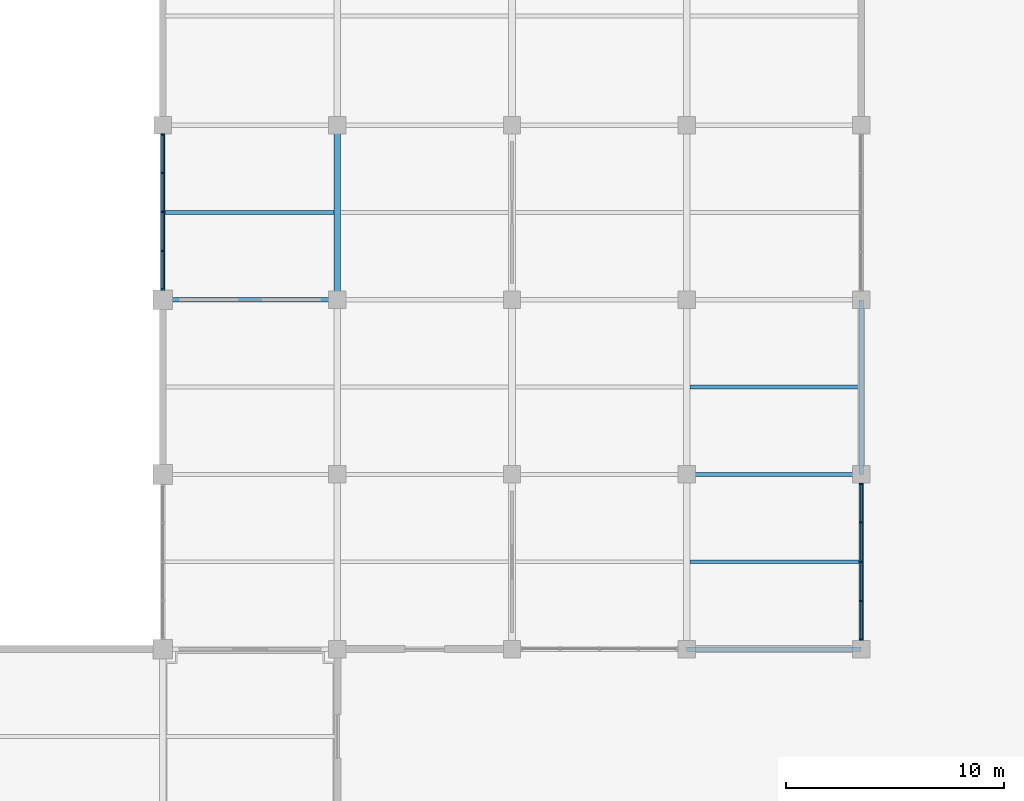
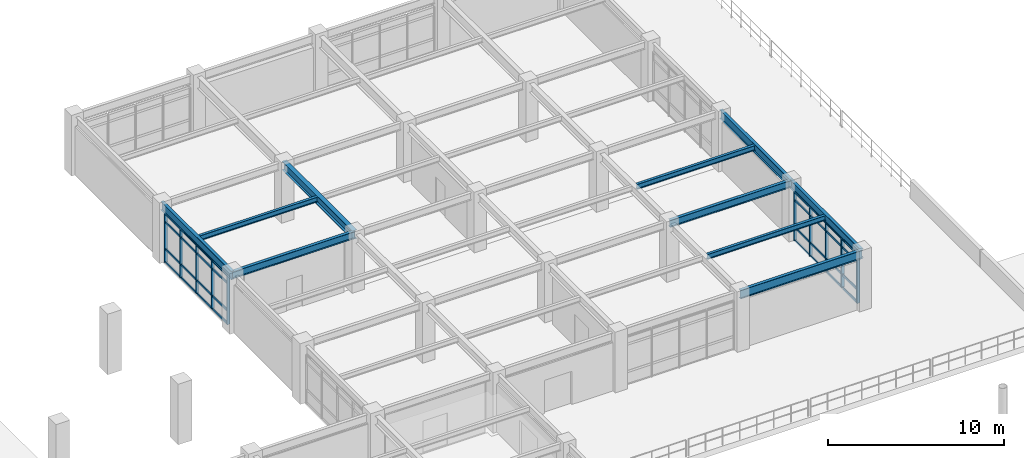
# One storey, part 60 of 118: 42 members, 10 beams, 2 elements without a shape of their own.
"""IFC4 building model written with IfcOpenShell, lengths in metres."""

from ifc_helpers import new_model, si_unit, direction, frame, origin, origin_2d, place, context, subcontext, project, spatial, rectangle, i_section, extrude, material, layer, layer_set, material_profile, profile_set, type_object, element, aggregate, save


model = new_model("IFC4")

# Units and contexts
model_context = context("Model", 3, precision=1e-05, world=origin(), true_north=direction((0.0, 1.0)))
body_context = subcontext(model_context, "Body", "Model", "MODEL_VIEW")
ifc_project = project(units=[si_unit("LENGTHUNIT", "METRE"), si_unit("AREAUNIT", "SQUARE_METRE"), si_unit("VOLUMEUNIT", "CUBIC_METRE"), si_unit("PLANEANGLEUNIT", "RADIAN"), si_unit("MASSUNIT", "GRAM", prefix="KILO")], contexts=[model_context])

# Site, building, storey
site_placement = place(None, origin())
site = spatial("IfcSite", under=ifc_project, at=site_placement, CompositionType="ELEMENT")
building_placement = place(site_placement, origin())
building = spatial("IfcBuilding", under=site, at=building_placement, Name="Haebicheon Civic Stadium", CompositionType="ELEMENT")
storey_placement = place(building_placement, frame((0.0, 0.0, 14.39990234375)))
storey = spatial("IfcBuildingStorey", under=building, at=storey_placement, Name="L04", CompositionType="ELEMENT", Elevation=14.39990234375)

# Beams
ifc_material_1 = material(Name="Steel SM355 (S355)", Category="steel")
ifc_material_profile_1 = material_profile(ifc_material_1, i_section(OverallWidth=0.199951171875, OverallDepth=0.5, WebThickness=0.010009765625, FlangeThickness=0.01611328125, at=origin_2d()), Name="H-500x200x10x16")
ifc_profile_set_1 = profile_set([ifc_material_profile_1], Name="Steel SM355 (S355)")
beam_type_1 = type_object("IfcBeamType", Name="BM-ST-H500", PredefinedType="BEAM", material=ifc_profile_set_1)
for number, where, z_axis, x_axis, name in (
    (1, (160.0, 160.0, 3.72998046875), (1.0, 0.0, 0.0), (0.0, 1.0, 0.0), "L04 beam W/21-22"),
    (2, (184.0, 152.0, 3.72998046875), (1.0, 0.0, 0.0), (0.0, 1.0, 0.0), "L04 beam V/24-25"),
):
    element("IfcBeam", number, at=place(storey_placement, frame(where, z_axis=z_axis, x_axis=x_axis)), inside=storey, type_object=beam_type_1, material=ifc_profile_set_1, Name=name, PredefinedType="BEAM", context=body_context, shape_type="SweptSolid", body=[
        extrude(i_section(OverallWidth=0.199951171875, OverallDepth=0.5, WebThickness=0.010009765625, FlangeThickness=0.01611328125, at=origin_2d()), origin(), (0.0, 0.0, 1.0), 8.0),
    ])
ifc_material_2 = material(Name="Steel SM355 (S355)", Category="steel")
ifc_material_profile_2 = material_profile(ifc_material_2, i_section(OverallWidth=0.300048828125, OverallDepth=0.60009765625, WebThickness=0.011962890625, FlangeThickness=0.02001953125, at=origin_2d()), Name="H-600x300x12x20")
ifc_profile_set_2 = profile_set([ifc_material_profile_2], Name="Steel SM355 (S355)")
beam_type_2 = type_object("IfcBeamType", Name="BM-ST-H600A", PredefinedType="BEAM", material=ifc_profile_set_2)
beam_placement = place(storey_placement, frame((168.0, 160.0, 3.68017578125), z_axis=(0.0, 1.0, 0.0), x_axis=(-1.0, 0.0, 0.0)))
element("IfcBeam", 3, at=beam_placement, inside=storey, type_object=beam_type_2, material=ifc_profile_set_2, Name="L04 girder 22/W-X", PredefinedType="BEAM", context=body_context, shape_type="SweptSolid", body=[
    extrude(i_section(OverallWidth=0.300048828125, OverallDepth=0.60009765625, WebThickness=0.011962890625, FlangeThickness=0.02001953125, at=origin_2d()), origin(), (0.0, 0.0, 1.0), 8.0),
])

# Curtain wall, members
ifc_material_3 = material(Name="Anodised aluminium and laminated glass", Category="aluminium")
ifc_layer_1 = layer(ifc_material_3, 0.179931640625, Name="Anodised aluminium and laminated glass")
ifc_layer_set_1 = layer_set([ifc_layer_1], Name="Anodised aluminium and laminated glass")
curtain_wall_type_1 = type_object("IfcCurtainWallType", Name="CW-7150x3326", PredefinedType="NOTDEFINED", material=ifc_layer_set_1)
curtain_wall_1_placement = place(storey_placement, origin())
curtain_wall_1 = element("IfcCurtainWall", 4, at=curtain_wall_1_placement, inside=storey, type_object=curtain_wall_type_1, material=ifc_layer_set_1, Name="L04 unitised curtain wall 160", PredefinedType="NOTDEFINED")
ifc_material_4 = material(Name="Anodised aluminium 6063-T6", Category="aluminium")
ifc_material_profile_3 = material_profile(ifc_material_4, rectangle(XDim=0.070068359375, YDim=0.199951171875, at=origin_2d()), Name="ALU-MULL-70x200")
ifc_profile_set_3 = profile_set([ifc_material_profile_3], Name="Anodised aluminium 6063-T6")
member_type_1 = type_object("IfcMemberType", Name="CWM-200x70", PredefinedType="MULLION", material=ifc_profile_set_3)
member_1_placement = place(storey_placement, frame((160.0, 160.485107421875, 0.0), z_axis=(0.0, 0.0, 1.0), x_axis=(0.0, 1.0, 0.0)))
member_1 = element("IfcMember", 5, at=member_1_placement, type_object=member_type_1, material=ifc_profile_set_3, Name="CW-L04-160 vertical mullion 1", PredefinedType="MULLION", context=body_context, shape_type="SweptSolid", body=[
    extrude(rectangle(XDim=0.070068359375, YDim=0.199951171875, at=origin_2d()), origin(), (0.0, 0.0, 1.0), 3.326171875),
])
member_2_placement = place(storey_placement, frame((160.0, 162.238037109375, 0.0), z_axis=(0.0, 0.0, 1.0), x_axis=(0.0, 1.0, 0.0)))
member_2 = element("IfcMember", 6, at=member_2_placement, type_object=member_type_1, material=ifc_profile_set_3, Name="CW-L04-160 vertical mullion 2", PredefinedType="MULLION", context=body_context, shape_type="SweptSolid", body=[
    extrude(rectangle(XDim=0.070068359375, YDim=0.199951171875, at=origin_2d()), origin(), (0.0, 0.0, 1.0), 3.326171875),
])
member_3_placement = place(storey_placement, frame((160.0, 164.02490234375, 0.0), z_axis=(0.0, 0.0, 1.0), x_axis=(0.0, 1.0, 0.0)))
member_3 = element("IfcMember", 7, at=member_3_placement, type_object=member_type_1, material=ifc_profile_set_3, Name="CW-L04-160 vertical mullion 3", PredefinedType="MULLION", context=body_context, shape_type="SweptSolid", body=[
    extrude(rectangle(XDim=0.070068359375, YDim=0.199951171875, at=origin_2d()), origin(), (0.0, 0.0, 1.0), 3.326171875),
])
member_4_placement = place(storey_placement, frame((160.0, 165.81298828125, 0.0), z_axis=(0.0, 0.0, 1.0), x_axis=(0.0, 1.0, 0.0)))
member_4 = element("IfcMember", 8, at=member_4_placement, type_object=member_type_1, material=ifc_profile_set_3, Name="CW-L04-160 vertical mullion 4", PredefinedType="MULLION", context=body_context, shape_type="SweptSolid", body=[
    extrude(rectangle(XDim=0.070068359375, YDim=0.199951171875, at=origin_2d()), origin(), (0.0, 0.0, 1.0), 3.326171875),
])
member_5_placement = place(storey_placement, frame((160.0, 167.56494140625, 0.0), z_axis=(0.0, 0.0, 1.0), x_axis=(0.0, 1.0, 0.0)))
member_5 = element("IfcMember", 9, at=member_5_placement, type_object=member_type_1, material=ifc_profile_set_3, Name="CW-L04-160 vertical mullion 5", PredefinedType="MULLION", context=body_context, shape_type="SweptSolid", body=[
    extrude(rectangle(XDim=0.070068359375, YDim=0.199951171875, at=origin_2d()), origin(), (0.0, 0.0, 1.0), 3.326171875),
])

ifc_material_5 = material(Name="Anodised aluminium and laminated glass", Category="aluminium")
ifc_layer_2 = layer(ifc_material_5, 0.179931640625, Name="Anodised aluminium and laminated glass")
ifc_layer_set_2 = layer_set([ifc_layer_2], Name="Anodised aluminium and laminated glass")
curtain_wall_type_2 = type_object("IfcCurtainWallType", Name="CW-7200x3350", PredefinedType="NOTDEFINED", material=ifc_layer_set_2)
curtain_wall_2_placement = place(storey_placement, origin())
curtain_wall_2 = element("IfcCurtainWall", 10, at=curtain_wall_2_placement, inside=storey, type_object=curtain_wall_type_2, material=ifc_layer_set_2, Name="L04 unitised curtain wall 167", PredefinedType="NOTDEFINED")
member_6_placement = place(storey_placement, frame((192.0, 144.43505859375, 0.0), z_axis=(0.0, 0.0, 1.0), x_axis=(0.0, 1.0, 0.0)))
member_6 = element("IfcMember", 11, at=member_6_placement, type_object=member_type_1, material=ifc_profile_set_3, Name="CW-L04-167 vertical mullion 1", PredefinedType="MULLION", context=body_context, shape_type="SweptSolid", body=[
    extrude(rectangle(XDim=0.070068359375, YDim=0.199951171875, at=origin_2d()), origin(), (0.0, 0.0, 1.0), 3.35009765625),
])
member_7_placement = place(storey_placement, frame((192.0, 146.199951171875, 0.0), z_axis=(0.0, 0.0, 1.0), x_axis=(0.0, 1.0, 0.0)))
member_7 = element("IfcMember", 12, at=member_7_placement, type_object=member_type_1, material=ifc_profile_set_3, Name="CW-L04-167 vertical mullion 2", PredefinedType="MULLION", context=body_context, shape_type="SweptSolid", body=[
    extrude(rectangle(XDim=0.070068359375, YDim=0.199951171875, at=origin_2d()), origin(), (0.0, 0.0, 1.0), 3.35009765625),
])
member_8_placement = place(storey_placement, frame((192.0, 148.0, 0.0), z_axis=(0.0, 0.0, 1.0), x_axis=(0.0, 1.0, 0.0)))
member_8 = element("IfcMember", 13, at=member_8_placement, type_object=member_type_1, material=ifc_profile_set_3, Name="CW-L04-167 vertical mullion 3", PredefinedType="MULLION", context=body_context, shape_type="SweptSolid", body=[
    extrude(rectangle(XDim=0.070068359375, YDim=0.199951171875, at=origin_2d()), origin(), (0.0, 0.0, 1.0), 3.35009765625),
])
member_9_placement = place(storey_placement, frame((192.0, 149.800048828125, 0.0), z_axis=(0.0, 0.0, 1.0), x_axis=(0.0, 1.0, 0.0)))
member_9 = element("IfcMember", 14, at=member_9_placement, type_object=member_type_1, material=ifc_profile_set_3, Name="CW-L04-167 vertical mullion 4", PredefinedType="MULLION", context=body_context, shape_type="SweptSolid", body=[
    extrude(rectangle(XDim=0.070068359375, YDim=0.199951171875, at=origin_2d()), origin(), (0.0, 0.0, 1.0), 3.35009765625),
])
member_10_placement = place(storey_placement, frame((192.0, 151.56494140625, 0.0), z_axis=(0.0, 0.0, 1.0), x_axis=(0.0, 1.0, 0.0)))
member_10 = element("IfcMember", 15, at=member_10_placement, type_object=member_type_1, material=ifc_profile_set_3, Name="CW-L04-167 vertical mullion 5", PredefinedType="MULLION", context=body_context, shape_type="SweptSolid", body=[
    extrude(rectangle(XDim=0.070068359375, YDim=0.199951171875, at=origin_2d()), origin(), (0.0, 0.0, 1.0), 3.35009765625),
])

# Member
ifc_material_6 = material(Name="Anodised aluminium 6063-T6", Category="aluminium")
ifc_material_profile_4 = material_profile(ifc_material_6, rectangle(XDim=0.070068359375, YDim=0.14990234375, at=origin_2d()), Name="ALU-TRAN-70x150")
ifc_profile_set_4 = profile_set([ifc_material_profile_4], Name="Anodised aluminium 6063-T6")
member_type_2 = type_object("IfcMemberType", Name="CWT-150x70", PredefinedType="NOTDEFINED", material=ifc_profile_set_4)
member_11_placement = place(storey_placement, frame((160.0, 160.52001953125, 0.0), z_axis=(0.0, 1.0, 0.0), x_axis=(-1.0, 0.0, 0.0)))
member_11 = element("IfcMember", 16, at=member_11_placement, type_object=member_type_2, material=ifc_profile_set_4, Name="CW-L04-160 horizontal transom 1.1", ObjectType="TRANSOM", PredefinedType="USERDEFINED", context=body_context, shape_type="SweptSolid", body=[
    extrude(rectangle(XDim=0.070068359375, YDim=0.14990234375, at=origin_2d()), origin(), (0.0, 0.0, 1.0), 1.682861328125),
])

member_12_placement = place(storey_placement, frame((160.0, 160.52001953125, 0.900146484375), z_axis=(0.0, 1.0, 0.0), x_axis=(-1.0, 0.0, 0.0)))
member_12 = element("IfcMember", 17, at=member_12_placement, type_object=member_type_2, material=ifc_profile_set_4, Name="CW-L04-160 horizontal transom 1.2", ObjectType="TRANSOM", PredefinedType="USERDEFINED", context=body_context, shape_type="SweptSolid", body=[
    extrude(rectangle(XDim=0.070068359375, YDim=0.14990234375, at=origin_2d()), origin(), (0.0, 0.0, 1.0), 1.682861328125),
])

member_13_placement = place(storey_placement, frame((160.0, 160.52001953125, 2.776123046875), z_axis=(0.0, 1.0, 0.0), x_axis=(-1.0, 0.0, 0.0)))
member_13 = element("IfcMember", 18, at=member_13_placement, type_object=member_type_2, material=ifc_profile_set_4, Name="CW-L04-160 horizontal transom 1.3", ObjectType="TRANSOM", PredefinedType="USERDEFINED", context=body_context, shape_type="SweptSolid", body=[
    extrude(rectangle(XDim=0.070068359375, YDim=0.14990234375, at=origin_2d()), origin(), (0.0, 0.0, 1.0), 1.682861328125),
])

member_14_placement = place(storey_placement, frame((160.0, 160.52001953125, 3.326171875), z_axis=(0.0, 1.0, 0.0), x_axis=(-1.0, 0.0, 0.0)))
member_14 = element("IfcMember", 19, at=member_14_placement, type_object=member_type_2, material=ifc_profile_set_4, Name="CW-L04-160 horizontal transom 1.4", ObjectType="TRANSOM", PredefinedType="USERDEFINED", context=body_context, shape_type="SweptSolid", body=[
    extrude(rectangle(XDim=0.070068359375, YDim=0.14990234375, at=origin_2d()), origin(), (0.0, 0.0, 1.0), 1.682861328125),
])

member_15_placement = place(storey_placement, frame((160.0, 162.27294921875, 0.0), z_axis=(0.0, 1.0, 0.0), x_axis=(-1.0, 0.0, 0.0)))
member_15 = element("IfcMember", 20, at=member_15_placement, type_object=member_type_2, material=ifc_profile_set_4, Name="CW-L04-160 horizontal transom 2.1", ObjectType="TRANSOM", PredefinedType="USERDEFINED", context=body_context, shape_type="SweptSolid", body=[
    extrude(rectangle(XDim=0.070068359375, YDim=0.14990234375, at=origin_2d()), origin(), (0.0, 0.0, 1.0), 1.717041015625),
])

member_16_placement = place(storey_placement, frame((160.0, 162.27294921875, 0.900146484375), z_axis=(0.0, 1.0, 0.0), x_axis=(-1.0, 0.0, 0.0)))
member_16 = element("IfcMember", 21, at=member_16_placement, type_object=member_type_2, material=ifc_profile_set_4, Name="CW-L04-160 horizontal transom 2.2", ObjectType="TRANSOM", PredefinedType="USERDEFINED", context=body_context, shape_type="SweptSolid", body=[
    extrude(rectangle(XDim=0.070068359375, YDim=0.14990234375, at=origin_2d()), origin(), (0.0, 0.0, 1.0), 1.717041015625),
])

member_17_placement = place(storey_placement, frame((160.0, 162.27294921875, 2.776123046875), z_axis=(0.0, 1.0, 0.0), x_axis=(-1.0, 0.0, 0.0)))
member_17 = element("IfcMember", 22, at=member_17_placement, type_object=member_type_2, material=ifc_profile_set_4, Name="CW-L04-160 horizontal transom 2.3", ObjectType="TRANSOM", PredefinedType="USERDEFINED", context=body_context, shape_type="SweptSolid", body=[
    extrude(rectangle(XDim=0.070068359375, YDim=0.14990234375, at=origin_2d()), origin(), (0.0, 0.0, 1.0), 1.717041015625),
])

member_18_placement = place(storey_placement, frame((160.0, 162.27294921875, 3.326171875), z_axis=(0.0, 1.0, 0.0), x_axis=(-1.0, 0.0, 0.0)))
member_18 = element("IfcMember", 23, at=member_18_placement, type_object=member_type_2, material=ifc_profile_set_4, Name="CW-L04-160 horizontal transom 2.4", ObjectType="TRANSOM", PredefinedType="USERDEFINED", context=body_context, shape_type="SweptSolid", body=[
    extrude(rectangle(XDim=0.070068359375, YDim=0.14990234375, at=origin_2d()), origin(), (0.0, 0.0, 1.0), 1.717041015625),
])

member_19_placement = place(storey_placement, frame((160.0, 164.06005859375, 0.0), z_axis=(0.0, 1.0, 0.0), x_axis=(-1.0, 0.0, 0.0)))
member_19 = element("IfcMember", 24, at=member_19_placement, type_object=member_type_2, material=ifc_profile_set_4, Name="CW-L04-160 horizontal transom 3.1", ObjectType="TRANSOM", PredefinedType="USERDEFINED", context=body_context, shape_type="SweptSolid", body=[
    extrude(rectangle(XDim=0.070068359375, YDim=0.14990234375, at=origin_2d()), origin(), (0.0, 0.0, 1.0), 1.718017578125),
])

member_20_placement = place(storey_placement, frame((160.0, 164.06005859375, 0.900146484375), z_axis=(0.0, 1.0, 0.0), x_axis=(-1.0, 0.0, 0.0)))
member_20 = element("IfcMember", 25, at=member_20_placement, type_object=member_type_2, material=ifc_profile_set_4, Name="CW-L04-160 horizontal transom 3.2", ObjectType="TRANSOM", PredefinedType="USERDEFINED", context=body_context, shape_type="SweptSolid", body=[
    extrude(rectangle(XDim=0.070068359375, YDim=0.14990234375, at=origin_2d()), origin(), (0.0, 0.0, 1.0), 1.718017578125),
])

member_21_placement = place(storey_placement, frame((160.0, 164.06005859375, 2.776123046875), z_axis=(0.0, 1.0, 0.0), x_axis=(-1.0, 0.0, 0.0)))
member_21 = element("IfcMember", 26, at=member_21_placement, type_object=member_type_2, material=ifc_profile_set_4, Name="CW-L04-160 horizontal transom 3.3", ObjectType="TRANSOM", PredefinedType="USERDEFINED", context=body_context, shape_type="SweptSolid", body=[
    extrude(rectangle(XDim=0.070068359375, YDim=0.14990234375, at=origin_2d()), origin(), (0.0, 0.0, 1.0), 1.718017578125),
])

member_22_placement = place(storey_placement, frame((160.0, 164.06005859375, 3.326171875), z_axis=(0.0, 1.0, 0.0), x_axis=(-1.0, 0.0, 0.0)))
member_22 = element("IfcMember", 27, at=member_22_placement, type_object=member_type_2, material=ifc_profile_set_4, Name="CW-L04-160 horizontal transom 3.4", ObjectType="TRANSOM", PredefinedType="USERDEFINED", context=body_context, shape_type="SweptSolid", body=[
    extrude(rectangle(XDim=0.070068359375, YDim=0.14990234375, at=origin_2d()), origin(), (0.0, 0.0, 1.0), 1.718017578125),
])

member_23_placement = place(storey_placement, frame((160.0, 165.847900390625, 0.0), z_axis=(0.0, 1.0, 0.0), x_axis=(-1.0, 0.0, 0.0)))
member_23 = element("IfcMember", 28, at=member_23_placement, type_object=member_type_2, material=ifc_profile_set_4, Name="CW-L04-160 horizontal transom 4.1", ObjectType="TRANSOM", PredefinedType="USERDEFINED", context=body_context, shape_type="SweptSolid", body=[
    extrude(rectangle(XDim=0.070068359375, YDim=0.14990234375, at=origin_2d()), origin(), (0.0, 0.0, 1.0), 1.68212890625),
])

member_24_placement = place(storey_placement, frame((160.0, 165.847900390625, 0.900146484375), z_axis=(0.0, 1.0, 0.0), x_axis=(-1.0, 0.0, 0.0)))
member_24 = element("IfcMember", 29, at=member_24_placement, type_object=member_type_2, material=ifc_profile_set_4, Name="CW-L04-160 horizontal transom 4.2", ObjectType="TRANSOM", PredefinedType="USERDEFINED", context=body_context, shape_type="SweptSolid", body=[
    extrude(rectangle(XDim=0.070068359375, YDim=0.14990234375, at=origin_2d()), origin(), (0.0, 0.0, 1.0), 1.68212890625),
])

member_25_placement = place(storey_placement, frame((160.0, 165.847900390625, 2.776123046875), z_axis=(0.0, 1.0, 0.0), x_axis=(-1.0, 0.0, 0.0)))
member_25 = element("IfcMember", 30, at=member_25_placement, type_object=member_type_2, material=ifc_profile_set_4, Name="CW-L04-160 horizontal transom 4.3", ObjectType="TRANSOM", PredefinedType="USERDEFINED", context=body_context, shape_type="SweptSolid", body=[
    extrude(rectangle(XDim=0.070068359375, YDim=0.14990234375, at=origin_2d()), origin(), (0.0, 0.0, 1.0), 1.68212890625),
])

member_26_placement = place(storey_placement, frame((160.0, 165.847900390625, 3.326171875), z_axis=(0.0, 1.0, 0.0), x_axis=(-1.0, 0.0, 0.0)))
member_26 = element("IfcMember", 31, at=member_26_placement, type_object=member_type_2, material=ifc_profile_set_4, Name="CW-L04-160 horizontal transom 4.4", ObjectType="TRANSOM", PredefinedType="USERDEFINED", context=body_context, shape_type="SweptSolid", body=[
    extrude(rectangle(XDim=0.070068359375, YDim=0.14990234375, at=origin_2d()), origin(), (0.0, 0.0, 1.0), 1.68212890625),
])

aggregate(curtain_wall_1, [member_1, member_2, member_3, member_4, member_5, member_11, member_12, member_13, member_14, member_15, member_16, member_17, member_18, member_19, member_20, member_21, member_22, member_23, member_24, member_25, member_26])

member_27_placement = place(storey_placement, frame((192.0, 144.469970703125, 0.0), z_axis=(0.0, 1.0, 0.0), x_axis=(-1.0, 0.0, 0.0)))
member_27 = element("IfcMember", 32, at=member_27_placement, type_object=member_type_2, material=ifc_profile_set_4, Name="CW-L04-167 horizontal transom 1.1", ObjectType="TRANSOM", PredefinedType="USERDEFINED", context=body_context, shape_type="SweptSolid", body=[
    extrude(rectangle(XDim=0.070068359375, YDim=0.14990234375, at=origin_2d()), origin(), (0.0, 0.0, 1.0), 1.695068359375),
])

member_28_placement = place(storey_placement, frame((192.0, 144.469970703125, 0.900146484375), z_axis=(0.0, 1.0, 0.0), x_axis=(-1.0, 0.0, 0.0)))
member_28 = element("IfcMember", 33, at=member_28_placement, type_object=member_type_2, material=ifc_profile_set_4, Name="CW-L04-167 horizontal transom 1.2", ObjectType="TRANSOM", PredefinedType="USERDEFINED", context=body_context, shape_type="SweptSolid", body=[
    extrude(rectangle(XDim=0.070068359375, YDim=0.14990234375, at=origin_2d()), origin(), (0.0, 0.0, 1.0), 1.695068359375),
])

member_29_placement = place(storey_placement, frame((192.0, 144.469970703125, 2.800048828125), z_axis=(0.0, 1.0, 0.0), x_axis=(-1.0, 0.0, 0.0)))
member_29 = element("IfcMember", 34, at=member_29_placement, type_object=member_type_2, material=ifc_profile_set_4, Name="CW-L04-167 horizontal transom 1.3", ObjectType="TRANSOM", PredefinedType="USERDEFINED", context=body_context, shape_type="SweptSolid", body=[
    extrude(rectangle(XDim=0.070068359375, YDim=0.14990234375, at=origin_2d()), origin(), (0.0, 0.0, 1.0), 1.695068359375),
])

member_30_placement = place(storey_placement, frame((192.0, 144.469970703125, 3.35009765625), z_axis=(0.0, 1.0, 0.0), x_axis=(-1.0, 0.0, 0.0)))
member_30 = element("IfcMember", 35, at=member_30_placement, type_object=member_type_2, material=ifc_profile_set_4, Name="CW-L04-167 horizontal transom 1.4", ObjectType="TRANSOM", PredefinedType="USERDEFINED", context=body_context, shape_type="SweptSolid", body=[
    extrude(rectangle(XDim=0.070068359375, YDim=0.14990234375, at=origin_2d()), origin(), (0.0, 0.0, 1.0), 1.695068359375),
])

member_31_placement = place(storey_placement, frame((192.0, 146.235107421875, 0.0), z_axis=(0.0, 1.0, 0.0), x_axis=(-1.0, 0.0, 0.0)))
member_31 = element("IfcMember", 36, at=member_31_placement, type_object=member_type_2, material=ifc_profile_set_4, Name="CW-L04-167 horizontal transom 2.1", ObjectType="TRANSOM", PredefinedType="USERDEFINED", context=body_context, shape_type="SweptSolid", body=[
    extrude(rectangle(XDim=0.070068359375, YDim=0.14990234375, at=origin_2d()), origin(), (0.0, 0.0, 1.0), 1.72998046875),
])

member_32_placement = place(storey_placement, frame((192.0, 146.235107421875, 0.900146484375), z_axis=(0.0, 1.0, 0.0), x_axis=(-1.0, 0.0, 0.0)))
member_32 = element("IfcMember", 37, at=member_32_placement, type_object=member_type_2, material=ifc_profile_set_4, Name="CW-L04-167 horizontal transom 2.2", ObjectType="TRANSOM", PredefinedType="USERDEFINED", context=body_context, shape_type="SweptSolid", body=[
    extrude(rectangle(XDim=0.070068359375, YDim=0.14990234375, at=origin_2d()), origin(), (0.0, 0.0, 1.0), 1.72998046875),
])

member_33_placement = place(storey_placement, frame((192.0, 146.235107421875, 2.800048828125), z_axis=(0.0, 1.0, 0.0), x_axis=(-1.0, 0.0, 0.0)))
member_33 = element("IfcMember", 38, at=member_33_placement, type_object=member_type_2, material=ifc_profile_set_4, Name="CW-L04-167 horizontal transom 2.3", ObjectType="TRANSOM", PredefinedType="USERDEFINED", context=body_context, shape_type="SweptSolid", body=[
    extrude(rectangle(XDim=0.070068359375, YDim=0.14990234375, at=origin_2d()), origin(), (0.0, 0.0, 1.0), 1.72998046875),
])

member_34_placement = place(storey_placement, frame((192.0, 146.235107421875, 3.35009765625), z_axis=(0.0, 1.0, 0.0), x_axis=(-1.0, 0.0, 0.0)))
member_34 = element("IfcMember", 39, at=member_34_placement, type_object=member_type_2, material=ifc_profile_set_4, Name="CW-L04-167 horizontal transom 2.4", ObjectType="TRANSOM", PredefinedType="USERDEFINED", context=body_context, shape_type="SweptSolid", body=[
    extrude(rectangle(XDim=0.070068359375, YDim=0.14990234375, at=origin_2d()), origin(), (0.0, 0.0, 1.0), 1.72998046875),
])

member_35_placement = place(storey_placement, frame((192.0, 148.034912109375, 0.0), z_axis=(0.0, 1.0, 0.0), x_axis=(-1.0, 0.0, 0.0)))
member_35 = element("IfcMember", 40, at=member_35_placement, type_object=member_type_2, material=ifc_profile_set_4, Name="CW-L04-167 horizontal transom 3.1", ObjectType="TRANSOM", PredefinedType="USERDEFINED", context=body_context, shape_type="SweptSolid", body=[
    extrude(rectangle(XDim=0.070068359375, YDim=0.14990234375, at=origin_2d()), origin(), (0.0, 0.0, 1.0), 1.72998046875),
])

member_36_placement = place(storey_placement, frame((192.0, 148.034912109375, 0.900146484375), z_axis=(0.0, 1.0, 0.0), x_axis=(-1.0, 0.0, 0.0)))
member_36 = element("IfcMember", 41, at=member_36_placement, type_object=member_type_2, material=ifc_profile_set_4, Name="CW-L04-167 horizontal transom 3.2", ObjectType="TRANSOM", PredefinedType="USERDEFINED", context=body_context, shape_type="SweptSolid", body=[
    extrude(rectangle(XDim=0.070068359375, YDim=0.14990234375, at=origin_2d()), origin(), (0.0, 0.0, 1.0), 1.72998046875),
])

member_37_placement = place(storey_placement, frame((192.0, 148.034912109375, 2.800048828125), z_axis=(0.0, 1.0, 0.0), x_axis=(-1.0, 0.0, 0.0)))
member_37 = element("IfcMember", 42, at=member_37_placement, type_object=member_type_2, material=ifc_profile_set_4, Name="CW-L04-167 horizontal transom 3.3", ObjectType="TRANSOM", PredefinedType="USERDEFINED", context=body_context, shape_type="SweptSolid", body=[
    extrude(rectangle(XDim=0.070068359375, YDim=0.14990234375, at=origin_2d()), origin(), (0.0, 0.0, 1.0), 1.72998046875),
])

member_38_placement = place(storey_placement, frame((192.0, 148.034912109375, 3.35009765625), z_axis=(0.0, 1.0, 0.0), x_axis=(-1.0, 0.0, 0.0)))
member_38 = element("IfcMember", 43, at=member_38_placement, type_object=member_type_2, material=ifc_profile_set_4, Name="CW-L04-167 horizontal transom 3.4", ObjectType="TRANSOM", PredefinedType="USERDEFINED", context=body_context, shape_type="SweptSolid", body=[
    extrude(rectangle(XDim=0.070068359375, YDim=0.14990234375, at=origin_2d()), origin(), (0.0, 0.0, 1.0), 1.72998046875),
])

member_39_placement = place(storey_placement, frame((192.0, 149.8349609375, 0.0), z_axis=(0.0, 1.0, 0.0), x_axis=(-1.0, 0.0, 0.0)))
member_39 = element("IfcMember", 44, at=member_39_placement, type_object=member_type_2, material=ifc_profile_set_4, Name="CW-L04-167 horizontal transom 4.1", ObjectType="TRANSOM", PredefinedType="USERDEFINED", context=body_context, shape_type="SweptSolid", body=[
    extrude(rectangle(XDim=0.070068359375, YDim=0.14990234375, at=origin_2d()), origin(), (0.0, 0.0, 1.0), 1.695068359375),
])

member_40_placement = place(storey_placement, frame((192.0, 149.8349609375, 0.900146484375), z_axis=(0.0, 1.0, 0.0), x_axis=(-1.0, 0.0, 0.0)))
member_40 = element("IfcMember", 45, at=member_40_placement, type_object=member_type_2, material=ifc_profile_set_4, Name="CW-L04-167 horizontal transom 4.2", ObjectType="TRANSOM", PredefinedType="USERDEFINED", context=body_context, shape_type="SweptSolid", body=[
    extrude(rectangle(XDim=0.070068359375, YDim=0.14990234375, at=origin_2d()), origin(), (0.0, 0.0, 1.0), 1.695068359375),
])

member_41_placement = place(storey_placement, frame((192.0, 149.8349609375, 2.800048828125), z_axis=(0.0, 1.0, 0.0), x_axis=(-1.0, 0.0, 0.0)))
member_41 = element("IfcMember", 46, at=member_41_placement, type_object=member_type_2, material=ifc_profile_set_4, Name="CW-L04-167 horizontal transom 4.3", ObjectType="TRANSOM", PredefinedType="USERDEFINED", context=body_context, shape_type="SweptSolid", body=[
    extrude(rectangle(XDim=0.070068359375, YDim=0.14990234375, at=origin_2d()), origin(), (0.0, 0.0, 1.0), 1.695068359375),
])

member_42_placement = place(storey_placement, frame((192.0, 149.8349609375, 3.35009765625), z_axis=(0.0, 1.0, 0.0), x_axis=(-1.0, 0.0, 0.0)))
member_42 = element("IfcMember", 47, at=member_42_placement, type_object=member_type_2, material=ifc_profile_set_4, Name="CW-L04-167 horizontal transom 4.4", ObjectType="TRANSOM", PredefinedType="USERDEFINED", context=body_context, shape_type="SweptSolid", body=[
    extrude(rectangle(XDim=0.070068359375, YDim=0.14990234375, at=origin_2d()), origin(), (0.0, 0.0, 1.0), 1.695068359375),
])

aggregate(curtain_wall_2, [member_6, member_7, member_8, member_9, member_10, member_27, member_28, member_29, member_30, member_31, member_32, member_33, member_34, member_35, member_36, member_37, member_38, member_39, member_40, member_41, member_42])

# Beams
ifc_material_7 = material(Name="Steel SM355 (S355)", Category="steel")
ifc_material_profile_5 = material_profile(ifc_material_7, i_section(OverallWidth=0.175048828125, OverallDepth=0.35009765625, WebThickness=0.007080078125, FlangeThickness=0.010986328125, at=origin_2d()), Name="H-350x175x7x11")
ifc_profile_set_5 = profile_set([ifc_material_profile_5], Name="Steel SM355 (S355)")
beam_type_3 = type_object("IfcBeamType", Name="JST-ST-H350", PredefinedType="JOIST", material=ifc_profile_set_5)
for number, where, z_axis, x_axis, name in (
    (48, (160.10009765625, 164.0, 3.80517578125), (1.0, 0.0, 0.0), (0.0, 1.0, 0.0), "L04 secondary joist 20-20"),
    (49, (184.14990234375, 148.0, 3.80517578125), (1.0, 0.0, 0.0), (0.0, 1.0, 0.0), "L04 secondary joist 23-18"),
    (50, (184.14990234375, 156.0, 3.80517578125), (1.0, 0.0, 0.0), (0.0, 1.0, 0.0), "L04 secondary joist 23-19"),
):
    element("IfcBeam", number, at=place(storey_placement, frame(where, z_axis=z_axis, x_axis=x_axis)), inside=storey, type_object=beam_type_3, material=ifc_profile_set_5, Name=name, PredefinedType="JOIST", context=body_context, shape_type="SweptSolid", body=[
        extrude(i_section(OverallWidth=0.175048828125, OverallDepth=0.35009765625, WebThickness=0.007080078125, FlangeThickness=0.010986328125, at=origin_2d()), origin(), (0.0, 0.0, 1.0), 7.75),
    ])
ifc_material_8 = material(Name="Steel SM355 (S355)", Category="steel")
ifc_material_profile_6 = material_profile(ifc_material_8, i_section(OverallWidth=0.199951171875, OverallDepth=0.60009765625, WebThickness=0.010986328125, FlangeThickness=0.01708984375, at=origin_2d()), Name="H-600x200x11x17")
ifc_profile_set_6 = profile_set([ifc_material_profile_6], Name="Steel SM355 (S355)")
beam_type_4 = type_object("IfcBeamType", Name="SPD-ST-H600B", PredefinedType="SPANDREL", material=ifc_profile_set_6)
for number, where, z_axis, x_axis, name in (
    (51, (160.0, 160.0, 3.68017578125), (0.0, 1.0, 0.0), (-1.0, 0.0, 0.0), "L04 girder 21/W-X"),
    (52, (192.0, 144.0, 3.68017578125), (0.0, 1.0, 0.0), (-1.0, 0.0, 0.0), "L04 girder 25/U-V"),
    (53, (192.0, 152.0, 3.68017578125), (0.0, 1.0, 0.0), (-1.0, 0.0, 0.0), "L04 girder 25/V-W"),
    (54, (184.0, 144.0, 3.68017578125), (1.0, 0.0, 0.0), (0.0, 1.0, 0.0), "L04 beam U/24-25"),
):
    element("IfcBeam", number, at=place(storey_placement, frame(where, z_axis=z_axis, x_axis=x_axis)), inside=storey, type_object=beam_type_4, material=ifc_profile_set_6, Name=name, PredefinedType="SPANDREL", context=body_context, shape_type="SweptSolid", body=[
        extrude(i_section(OverallWidth=0.199951171875, OverallDepth=0.60009765625, WebThickness=0.010986328125, FlangeThickness=0.01708984375, at=origin_2d()), origin(), (0.0, 0.0, 1.0), 8.0),
    ])

save(model, "model.ifc")
